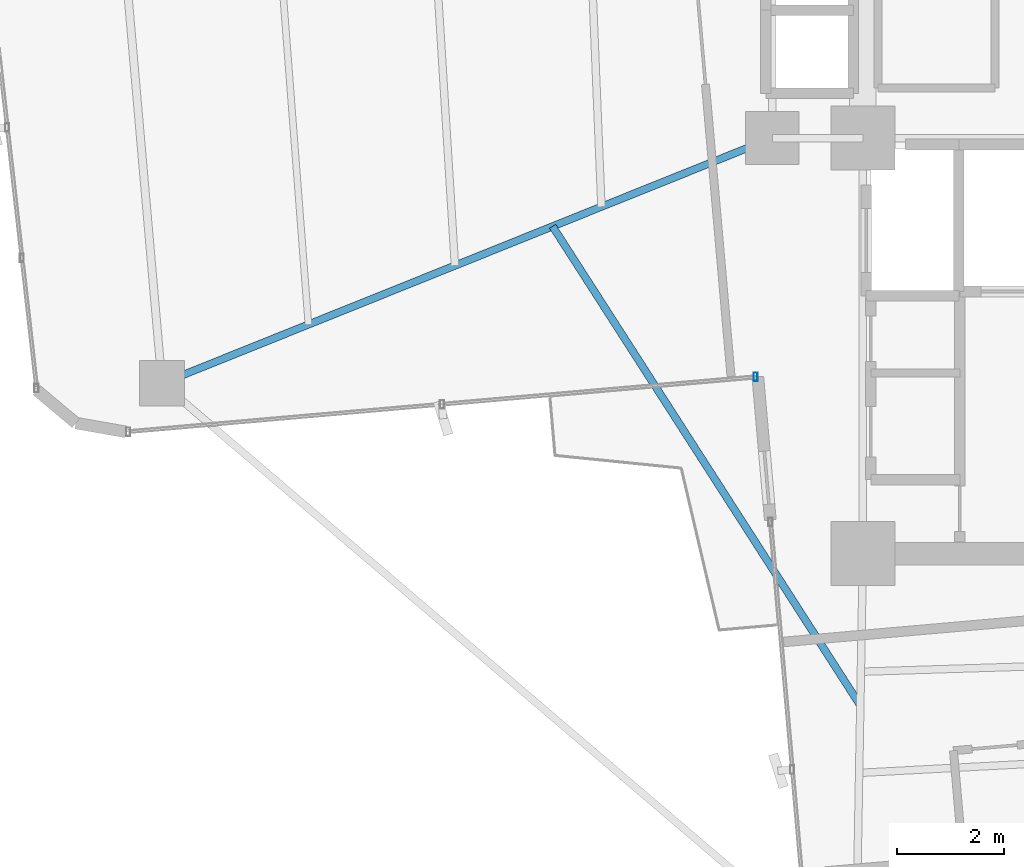
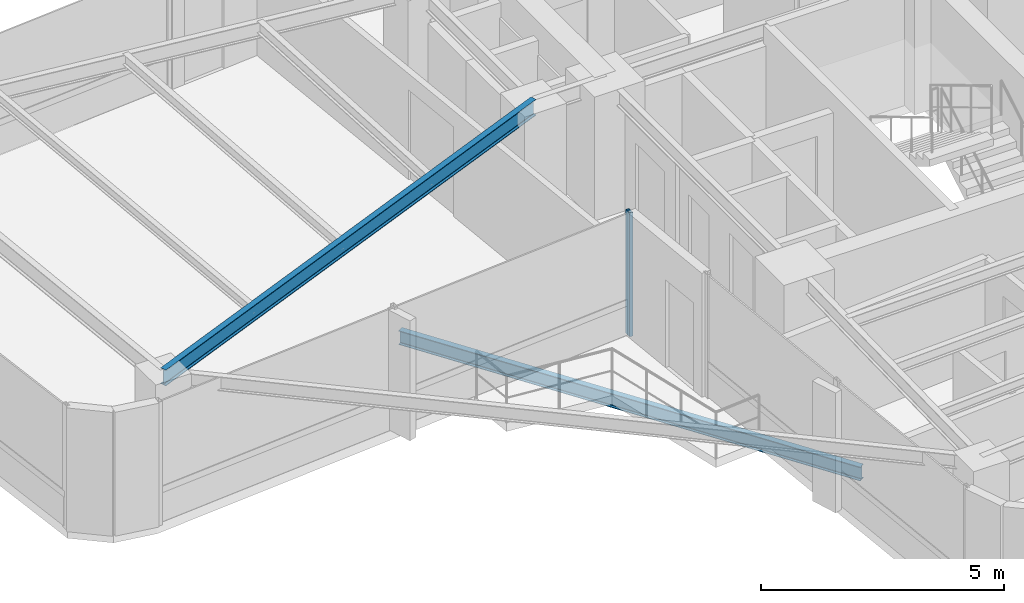
# One storey, part 5 of 24: 2 beams, 1 member, 1 element without a shape of its own.
"""IFC4 building model written with IfcOpenShell, lengths in metres."""

from ifc_helpers import new_model, si_unit, direction, frame, origin, origin_2d, place, context, subcontext, project, spatial, hollow_rectangle, i_section, extrude, source, transform, mapped, material, material_profile, profile_set, type_object, element, aggregate, save


model = new_model("IFC4")

# Units and contexts
model_context = context("Model", 3, precision=1e-05, world=origin(), true_north=direction((0.0, 1.0)))
body_context = subcontext(model_context, "Body", "Model", "MODEL_VIEW")
ifc_project = project(units=[si_unit("LENGTHUNIT", "METRE"), si_unit("AREAUNIT", "SQUARE_METRE"), si_unit("VOLUMEUNIT", "CUBIC_METRE"), si_unit("PLANEANGLEUNIT", "RADIAN"), si_unit("MASSUNIT", "GRAM", prefix="KILO")], contexts=[model_context])

# Site, building, storey
site_placement = place(None, origin())
site = spatial("IfcSite", under=ifc_project, at=site_placement, CompositionType="ELEMENT")
building_placement = place(site_placement, origin())
building = spatial("IfcBuilding", under=site, at=building_placement, Name="Sahyath Konkavel Grand Hotel", CompositionType="ELEMENT")
storey_placement = place(building_placement, frame((0.0, 0.0, 150.60009765625)))
storey = spatial("IfcBuildingStorey", under=building, at=storey_placement, Name="L41", CompositionType="ELEMENT", Elevation=150.60009765625)

# Beam
ifc_material_1 = material(Name="Steel E350", Category="steel")
ifc_material_profile_1 = material_profile(ifc_material_1, i_section(OverallWidth=0.139892578125, OverallDepth=0.39990234375, WebThickness=0.0087890625, FlangeThickness=0.01611328125, FilletRadius=0.013916015625, at=origin_2d()), Name="ISMB 400")
ifc_profile_set_1 = profile_set([ifc_material_profile_1], Name="Steel E350")
beam_type_1 = type_object("IfcBeamType", Name="BM-ISMB400", PredefinedType="BEAM", material=ifc_profile_set_1)
shared_shape_1 = source(origin(), body_context, "Body", "SweptSolid", [
    extrude(i_section(OverallWidth=0.139892578125, OverallDepth=0.39990234375, WebThickness=0.0087890625, FlangeThickness=0.01611328125, FilletRadius=0.013916015625, at=origin_2d()), origin(), (0.0, 0.0, 1.0), 12.344970703125),
])
beam_1_placement = place(storey_placement, frame((-5.5, -2.39990234375, 2.909912109375), z_axis=(-0.927837014101, -0.372985891507, 0.0), x_axis=(0.372985891507, -0.927837014101, 0.0)))
element("IfcBeam", 1, at=beam_1_placement, inside=storey, type_object=beam_type_1, Name="L41 Cruciform Radial Girder WB", PredefinedType="BEAM", context=body_context, shape_type="MappedRepresentation", body=[
    mapped(shared_shape_1, transform((0.0, 0.0, 0.0), scale=1.0)),
])

# Curtain wall, member
ifc_material_2 = material(Name="Anodised Bronze Aluminium & Low-E Glazing", Category="aluminium")
curtain_wall_type = type_object("IfcCurtainWallType", Name="CW-ZONE3", PredefinedType="NOTDEFINED", material=ifc_material_2)
curtain_wall_placement = place(storey_placement, origin())
curtain_wall = element("IfcCurtainWall", 2, at=curtain_wall_placement, inside=storey, type_object=curtain_wall_type, Name="L41 Unitised Curtain Wall F23", PredefinedType="NOTDEFINED")
ifc_material_3 = material(Name="Anodised Bronze Aluminium", Category="aluminium")
ifc_material_profile_2 = material_profile(ifc_material_3, hollow_rectangle(XDim=0.080078125, YDim=0.159912109375, WallThickness=0.006103515625, at=origin_2d()), Name="RHS 160x80x6")
ifc_profile_set_2 = profile_set([ifc_material_profile_2], Name="Anodised Bronze Aluminium")
member_type = type_object("IfcMemberType", Name="CW-MUL-160", PredefinedType="MULLION", material=ifc_profile_set_2)
shared_shape_2 = source(origin(), body_context, "Body", "SweptSolid", [
    extrude(hollow_rectangle(XDim=0.080078125, YDim=0.159912109375, WallThickness=0.006103515625, at=origin_2d()), origin(), (0.0, 0.0, 1.0), 3.10986328125),
])
member_placement = place(storey_placement, frame((-5.812255859375, -6.8828125, 0.0), z_axis=(0.0, 0.0, 1.0), x_axis=(1.0, 0.0, 0.0)))
member = element("IfcMember", 3, at=member_placement, type_object=member_type, Name="L41 Curtain Wall Mullion F23-2", PredefinedType="MULLION", context=body_context, shape_type="MappedRepresentation", body=[
    mapped(shared_shape_2, transform((0.0, 0.0, 0.0), scale=1.0)),
])
aggregate(curtain_wall, [member])

# Beam
ifc_material_profile_3 = material_profile(ifc_material_1, i_section(OverallWidth=0.139892578125, OverallDepth=0.35009765625, WebThickness=0.008056640625, FlangeThickness=0.01416015625, FilletRadius=0.013916015625, at=origin_2d()), Name="ISMB 350")
ifc_profile_set_3 = profile_set([ifc_material_profile_3], Name="Steel E350")
beam_type_2 = type_object("IfcBeamType", Name="BM-BALC-CANT", PredefinedType="BEAM", material=ifc_profile_set_3)
shared_shape_3 = source(origin(), body_context, "Body", "SweptSolid", [
    extrude(i_section(OverallWidth=0.139892578125, OverallDepth=0.35009765625, WebThickness=0.008056640625, FlangeThickness=0.01416015625, FilletRadius=0.013916015625, at=origin_2d()), origin(), (0.0, 0.0, 1.0), 10.685302734375),
])
beam_2_placement = place(storey_placement, frame((-9.62353515625, -4.0576171875, -0.4150390625), z_axis=(0.540404181048, -0.841405562797, 0.0), x_axis=(0.841405562797, 0.540404181048, 0.0)))
element("IfcBeam", 4, at=beam_2_placement, inside=storey, type_object=beam_type_2, Name="L41 Balcony Cantilever Support Beam SW", PredefinedType="BEAM", context=body_context, shape_type="MappedRepresentation", body=[
    mapped(shared_shape_3, transform((0.0, 0.0, 0.0), scale=1.0)),
])

save(model, "model.ifc")
